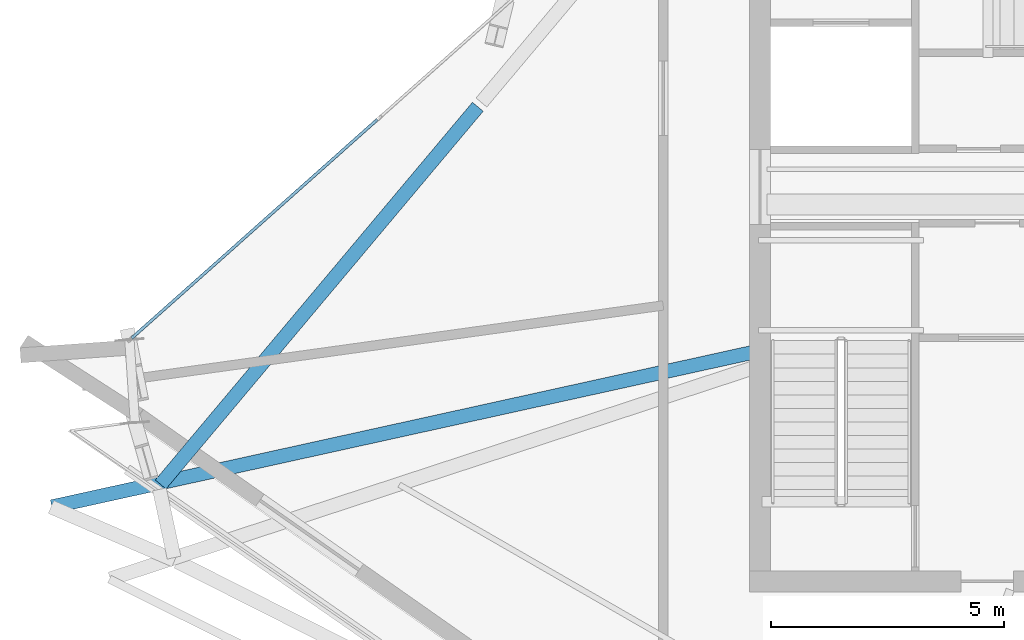
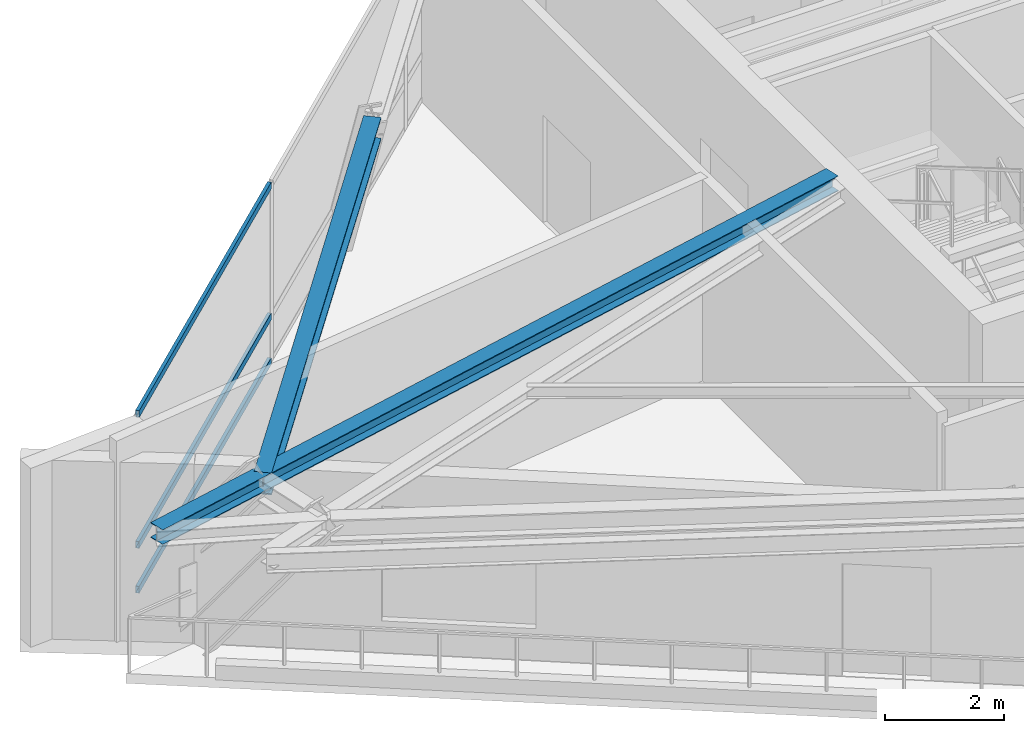
# One storey, part 7 of 22: 3 members, 2 beams, 1 element without a shape of its own.
"""IFC4 building model written with IfcOpenShell, lengths in metres."""

from ifc_helpers import new_model, si_unit, direction, frame, origin, origin_2d, place, context, subcontext, project, spatial, hollow_rectangle, i_section, extrude, source, transform, mapped, material, material_profile, profile_set, type_object, element, aggregate, save


model = new_model("IFC4")

# Units and contexts
model_context = context("Model", 3, precision=1e-05, world=origin(), true_north=direction((0.0, 1.0)))
body_context = subcontext(model_context, "Body", "Model", "MODEL_VIEW")
ifc_project = project(units=[si_unit("LENGTHUNIT", "METRE"), si_unit("AREAUNIT", "SQUARE_METRE"), si_unit("VOLUMEUNIT", "CUBIC_METRE"), si_unit("PLANEANGLEUNIT", "RADIAN"), si_unit("MASSUNIT", "GRAM", prefix="KILO")], contexts=[model_context])

# Site, building, storey
site_placement = place(None, origin())
site = spatial("IfcSite", under=ifc_project, at=site_placement, CompositionType="ELEMENT")
building_placement = place(site_placement, origin())
building = spatial("IfcBuilding", under=site, at=building_placement, Name="Olszyna Solenne Hotel", CompositionType="ELEMENT")
storey_placement = place(building_placement, frame((0.0, 0.0, 286.10009765625)))
storey = spatial("IfcBuildingStorey", under=building, at=storey_placement, Name="L76", CompositionType="ELEMENT", Elevation=286.10009765625)

# Beams
ifc_material_1 = material(Name="Steel S355J2", Category="steel")
ifc_material_profile_1 = material_profile(ifc_material_1, i_section(OverallWidth=0.300048828125, OverallDepth=0.449951171875, WebThickness=0.013916015625, FlangeThickness=0.02587890625, at=origin_2d()), Name="HEB 450", Category="load-bearing")
ifc_profile_set_1 = profile_set([ifc_material_profile_1], Name="Steel S355J2")
beam_type_1 = type_object("IfcBeamType", Name="BM-S4", PredefinedType="BEAM", material=ifc_profile_set_1)
shared_shape_1 = source(origin(), body_context, "Body", "SweptSolid", [
    extrude(i_section(OverallWidth=0.300048828125, OverallDepth=0.449951171875, WebThickness=0.013916015625, FlangeThickness=0.02587890625, at=origin_2d()), origin(), (0.0, 0.0, 1.0), 10.564208984375),
])
beam_1_placement = place(storey_placement, frame((23.830810546875, 29.440185546875, 3.89501953125), z_axis=(-0.643069046856, -0.765808201167, 0.0), x_axis=(0.765808201167, -0.643069046856, 0.0)))
element("IfcBeam", 1, at=beam_1_placement, inside=storey, type_object=beam_type_1, Name="Perimeter spandrel beam BM-S4 B-L76-2227", PredefinedType="BEAM", context=body_context, shape_type="MappedRepresentation", body=[
    mapped(shared_shape_1, transform((0.0, 0.0, 0.0), x_axis=(1.0, 0.0, 0.0), y_axis=(0.0, 1.0, 0.0), z_axis=(0.0, 0.0, 1.0), scale=1.0)),
])
ifc_material_profile_2 = material_profile(ifc_material_1, i_section(OverallWidth=0.300048828125, OverallDepth=0.31005859375, WebThickness=0.009033203125, FlangeThickness=0.015380859375, at=origin_2d()), Name="HEA 320", Category="load-bearing")
ifc_profile_set_2 = profile_set([ifc_material_profile_2], Name="Steel S355J2")
beam_type_2 = type_object("IfcBeamType", Name="BM-G3", PredefinedType="BEAM", material=ifc_profile_set_2)
shared_shape_2 = source(origin(), body_context, "Body", "SweptSolid", [
    extrude(i_section(OverallWidth=0.300048828125, OverallDepth=0.31005859375, WebThickness=0.009033203125, FlangeThickness=0.015380859375, at=origin_2d()), origin(), (0.0, 0.0, 1.0), 15.34912109375),
])
beam_2_placement = place(storey_placement, frame((14.708251953125, 20.872802734375, 3.96484375), z_axis=(0.976586220741, 0.215126366258, 0.0), x_axis=(-0.215126366258, 0.976586220741, 0.0)))
element("IfcBeam", 2, at=beam_2_placement, inside=storey, type_object=beam_type_2, Name="Radial floor girder BM-G3 B-L76-2239", PredefinedType="BEAM", context=body_context, shape_type="MappedRepresentation", body=[
    mapped(shared_shape_2, transform((0.0, 0.0, 0.0), x_axis=(1.0, 0.0, 0.0), y_axis=(0.0, 1.0, 0.0), z_axis=(0.0, 0.0, 1.0), scale=1.0)),
])

# Curtain wall, members
ifc_material_2 = material(Name="Anodised bronze aluminium", Category="aluminium")
curtain_wall_type = type_object("IfcCurtainWallType", Name="CW-SYS-7", PredefinedType="NOTDEFINED", material=ifc_material_2)
curtain_wall_placement = place(storey_placement, origin())
curtain_wall = element("IfcCurtainWall", 3, at=curtain_wall_placement, inside=storey, type_object=curtain_wall_type, Name="Unitised curtain wall CW-SYS-7 CW-L76-02", PredefinedType="NOTDEFINED")
ifc_material_profile_3 = material_profile(ifc_material_2, hollow_rectangle(XDim=0.06494140625, YDim=0.139892578125, WallThickness=0.00390625, at=origin_2d()), Name="TRAN 140x65x4", Category="load-bearing")
ifc_profile_set_3 = profile_set([ifc_material_profile_3], Name="Anodised bronze aluminium")
member_type = type_object("IfcMemberType", Name="CW-T2", PredefinedType="USERDEFINED", material=ifc_profile_set_3)
shared_shape_3 = source(origin(), body_context, "Body", "SweptSolid", [
    extrude(hollow_rectangle(XDim=0.06494140625, YDim=0.139892578125, WallThickness=0.00390625, at=origin_2d()), origin(), (0.0, 0.0, 1.0), 7.04541015625),
])
member_1_placement = place(storey_placement, frame((16.41748046875, 24.484375, 0.032470703125), z_axis=(0.747009601299, 0.66481324864, 0.0), x_axis=(-0.66481324864, 0.747009601299, 0.0)))
member_1 = element("IfcMember", 4, at=member_1_placement, type_object=member_type, Name="Curtain-wall transom CW-T2 CT-L76-02-01", ObjectType="TRANSOM", PredefinedType="USERDEFINED", context=body_context, shape_type="MappedRepresentation", body=[
    mapped(shared_shape_3, transform((0.0, 0.0, 0.0), x_axis=(1.0, 0.0, 0.0), y_axis=(0.0, 1.0, 0.0), z_axis=(0.0, 0.0, 1.0), scale=1.0)),
])
member_2_placement = place(storey_placement, frame((16.41748046875, 24.484375, 0.949951171875), z_axis=(0.747009601299, 0.66481324864, 0.0), x_axis=(-0.66481324864, 0.747009601299, 0.0)))
member_2 = element("IfcMember", 5, at=member_2_placement, type_object=member_type, Name="Curtain-wall transom CW-T2 CT-L76-02-02", ObjectType="TRANSOM", PredefinedType="USERDEFINED", context=body_context, shape_type="MappedRepresentation", body=[
    mapped(shared_shape_3, transform((0.0, 0.0, 0.0), x_axis=(1.0, 0.0, 0.0), y_axis=(0.0, 1.0, 0.0), z_axis=(0.0, 0.0, 1.0), scale=1.0)),
])
member_3_placement = place(storey_placement, frame((16.41748046875, 24.484375, 3.62939453125), z_axis=(0.747009601299, 0.66481324864, 0.0), x_axis=(-0.66481324864, 0.747009601299, 0.0)))
member_3 = element("IfcMember", 6, at=member_3_placement, type_object=member_type, Name="Curtain-wall transom CW-T2 CT-L76-02-03", ObjectType="TRANSOM", PredefinedType="USERDEFINED", context=body_context, shape_type="MappedRepresentation", body=[
    mapped(shared_shape_3, transform((0.0, 0.0, 0.0), x_axis=(1.0, 0.0, 0.0), y_axis=(0.0, 1.0, 0.0), z_axis=(0.0, 0.0, 1.0), scale=1.0)),
])
aggregate(curtain_wall, [member_1, member_2, member_3])

save(model, "model.ifc")
